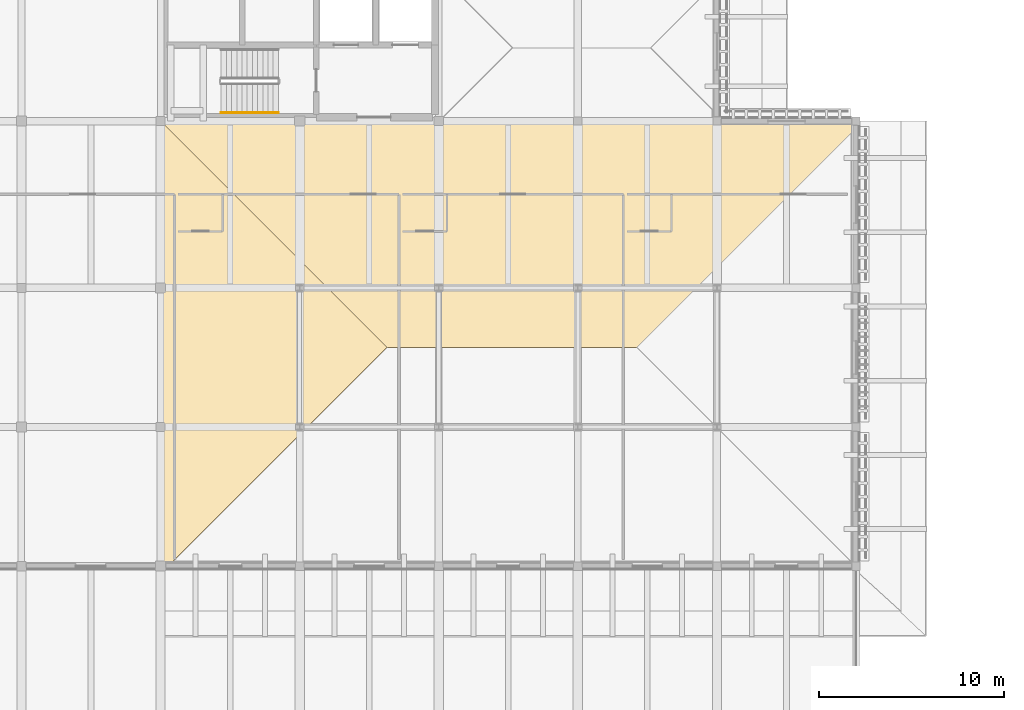
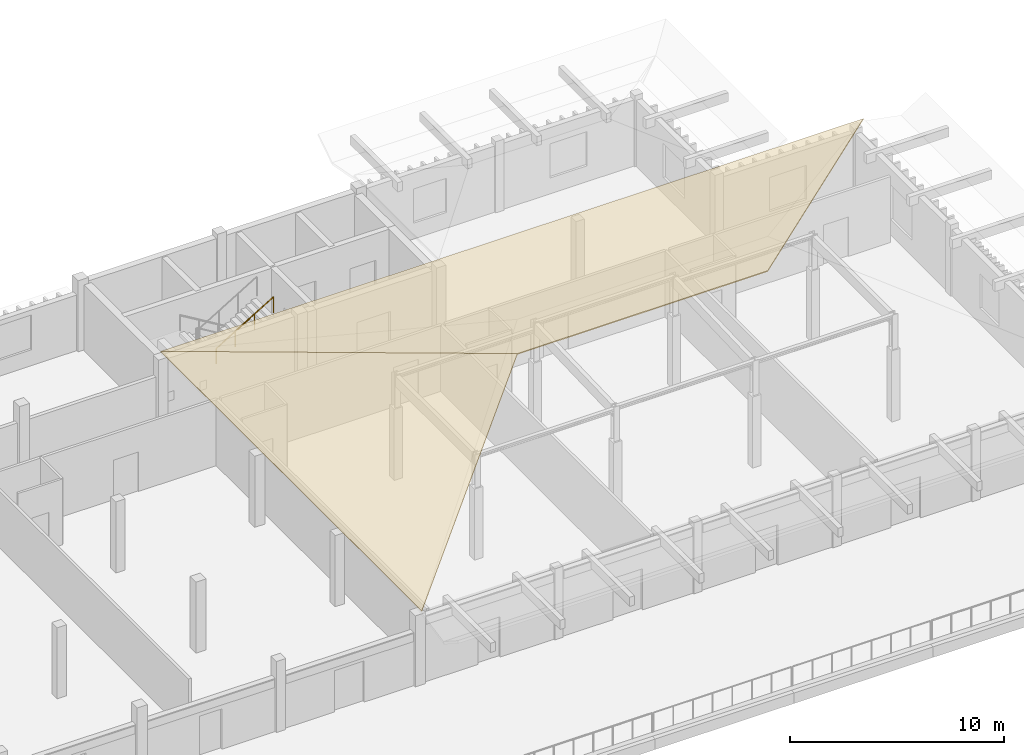
# One storey, part 44 of 48: 2 coverings, 1 railing.
"""IFC4 building model written with IfcOpenShell, lengths in metres."""

from ifc_helpers import new_model, si_unit, direction, frame, origin, origin_2d, place, context, subcontext, project, spatial, polyline, circle, outline, extrude, material, layer, layer_set, type_object, element, save


model = new_model("IFC4")

# Units and contexts
model_context = context("Model", 3, precision=1e-05, world=origin(), true_north=direction((0.0, 1.0)))
body_context = subcontext(model_context, "Body", "Model", "MODEL_VIEW")
ifc_project = project(units=[si_unit("LENGTHUNIT", "METRE"), si_unit("AREAUNIT", "SQUARE_METRE"), si_unit("VOLUMEUNIT", "CUBIC_METRE"), si_unit("PLANEANGLEUNIT", "RADIAN"), si_unit("MASSUNIT", "GRAM", prefix="KILO")], contexts=[model_context])

# Site, building, storey
site_placement = place(None, origin())
site = spatial("IfcSite", under=ifc_project, at=site_placement, CompositionType="ELEMENT")
building_placement = place(site_placement, origin())
building = spatial("IfcBuilding", under=site, at=building_placement, Name="Dalvernix Boulevard General Hospital", CompositionType="ELEMENT")
storey_placement = place(building_placement, frame((0.0, 0.0, 17.85009765625)))
storey = spatial("IfcBuildingStorey", under=building, at=storey_placement, Name="L04", CompositionType="ELEMENT", Elevation=17.85009765625)

# Coverings
ifc_material_1 = material(Name="Polychrome Catalan glazed terracotta roof tiles", Category="masonry")
ifc_layer = layer(ifc_material_1, 0.050048828125)
ifc_layer_set = layer_set([ifc_layer], Name="Polychrome Catalan glazed terracotta roof tiles (COV-ROOF-01)")
covering_type = type_object("IfcCoveringType", Name="COV-ROOF-01", PredefinedType="ROOFING", material=ifc_layer_set)
covering_1_placement = place(storey_placement, frame((135.39990234375, 109.5, 4.31982421875), z_axis=(0.0, 0.238532452459, 0.97113452679), x_axis=(-1.0, 0.0, 0.0)))
element("IfcCovering", 1, at=covering_1_placement, inside=storey, type_object=covering_type, Name="V3E glazed terracotta tile slope N", PredefinedType="ROOFING", context=body_context, shape_type="SweptSolid", body=[
    extrude(outline(polyline([(0.0, 0.0), (37.89990234375, 0.0), (25.699951171875, 12.562575869070187), (12.199951171875, 12.562575869070187), (0.0, 0.0)])), origin(), (0.0, 0.0, -1.0), 0.050048828125),
])
covering_2_placement = place(storey_placement, frame((97.5, 109.5, 4.31982421875), z_axis=(-0.238532452459, 0.0, 0.97113452679), x_axis=(0.0, -1.0, 0.0)))
element("IfcCovering", 2, at=covering_2_placement, inside=storey, type_object=covering_type, Name="V3E glazed terracotta tile slope W", PredefinedType="ROOFING", context=body_context, shape_type="SweptSolid", body=[
    extrude(outline(polyline([(0.0, 0.0), (24.39990234375, 0.0), (12.199951171875, 12.562575869070187), (0.0, 0.0)])), origin(), (0.0, 0.0, -1.0), 0.050048828125),
])

# Railing
ifc_material_2 = material(Name="Brushed stainless steel wall handrail", Category="steel")
railing_type = type_object("IfcRailingType", Name="RL-HR-INT1", PredefinedType="HANDRAIL", material=ifc_material_2)
railing_placement = place(storey_placement, frame((100.77001953125, 109.949951171875, 2.193603515625)))
element("IfcRailing", 3, at=railing_placement, inside=storey, type_object=railing_type, Name="L04 ST-04 stair handrail 2", PredefinedType="HANDRAIL", context=body_context, shape_type="SweptSolid", body=[
    extrude(circle(Radius=0.02392578125, at=origin_2d()), frame((0.0, 0.0, 0.8759765625), z_axis=(0.856490936558, 0.0, 0.516162063304), x_axis=(0.0, 1.0, 0.0)), (0.0, 0.0, 1.0), 3.59619140625),
    extrude(circle(Radius=0.02099609375, at=origin_2d()), origin(), (0.0, 0.0, 1.0), 0.851806640625),
    extrude(circle(Radius=0.02099609375, at=origin_2d()), frame((1.026611328125, 0.0, 0.61865234375)), (0.0, 0.0, 1.0), 0.851806640625),
    extrude(circle(Radius=0.02099609375, at=origin_2d()), frame((2.053466796875, 0.0, 1.237548828125)), (0.0, 0.0, 1.0), 0.851806640625),
    extrude(circle(Radius=0.02099609375, at=origin_2d()), frame((3.080078125, 0.0, 1.856201171875)), (0.0, 0.0, 1.0), 0.851806640625),
])

save(model, "model.ifc")
